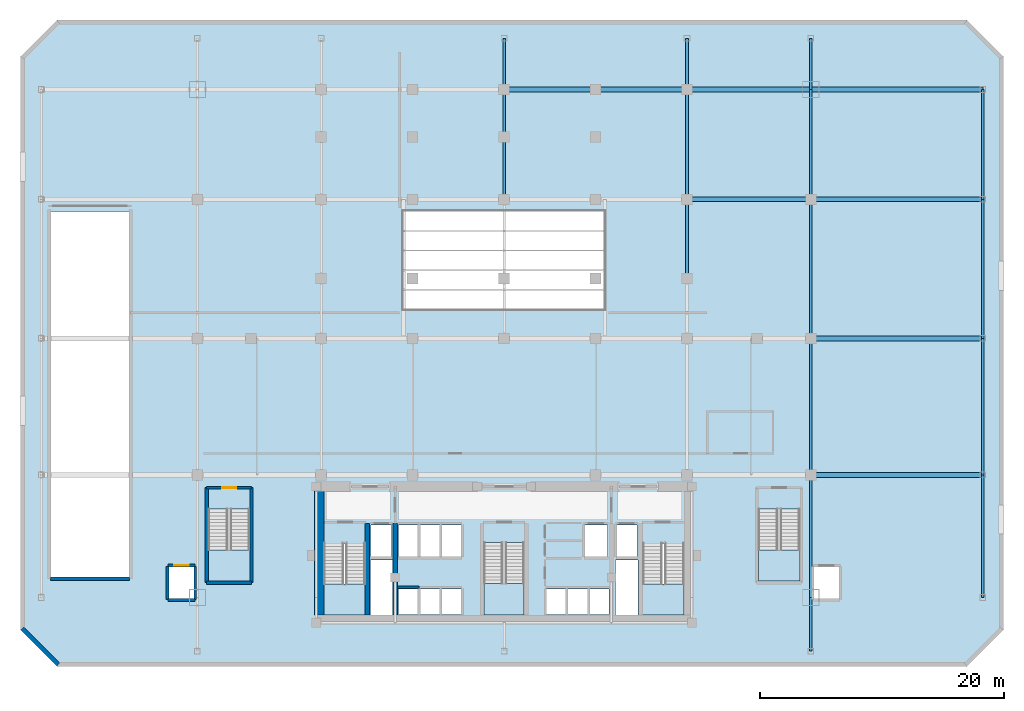
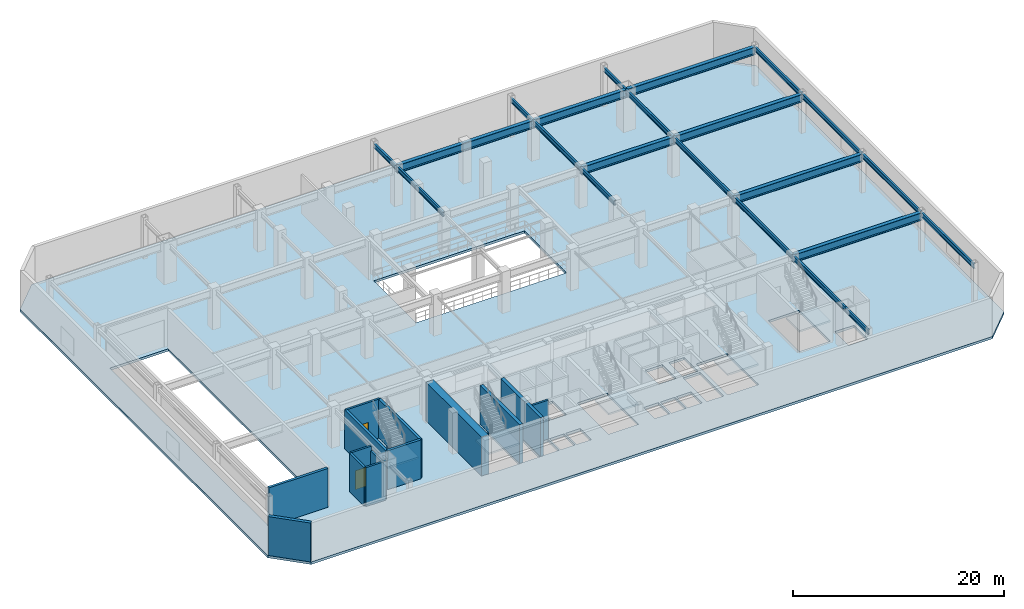
# One storey, part 4 of 10: 22 beams, 14 walls, 6 slabs, 2 doors, 2 openings, 5 elements without a shape of their own.
"""IFC4 building model written with IfcOpenShell, lengths in metres."""

from ifc_helpers import new_model, si_unit, direction, frame, frame_2d, origin, origin_2d, place, context, subcontext, project, spatial, polyline, rectangle, i_section, outline, extrude, material, layer, layer_set, material_profile, profile_set, type_object, element, fill, aggregate, save


model = new_model("IFC4")

# Units and contexts
model_context = context("Model", 3, precision=1e-05, world=origin(), true_north=direction((0.0, 1.0)))
body_context = subcontext(model_context, "Body", "Model", "MODEL_VIEW")
ifc_project = project(units=[si_unit("LENGTHUNIT", "METRE"), si_unit("AREAUNIT", "SQUARE_METRE"), si_unit("VOLUMEUNIT", "CUBIC_METRE"), si_unit("PLANEANGLEUNIT", "RADIAN"), si_unit("MASSUNIT", "GRAM", prefix="KILO")], contexts=[model_context])

# Site, building, storey
site_placement = place(None, origin())
site = spatial("IfcSite", under=ifc_project, at=site_placement, CompositionType="ELEMENT")
building_placement = place(site_placement, origin())
building = spatial("IfcBuilding", under=site, at=building_placement, Name="Ventersveld Concourse Tower", CompositionType="ELEMENT")
storey_placement = place(building_placement, frame((0.0, 0.0, 15.0)))
storey = spatial("IfcBuildingStorey", under=building, at=storey_placement, Name="L03", CompositionType="ELEMENT", Elevation=15.0)

# Beams
ifc_material_1 = material(Name="Structural steel S355J2", Category="steel")
ifc_material_profile_1 = material_profile(ifc_material_1, i_section(OverallWidth=0.39990234375, OverallDepth=0.89990234375, WebThickness=0.02197265625, FlangeThickness=0.035888671875, at=origin_2d()), Name="PG 900x400x36")
ifc_profile_set_1 = profile_set([ifc_material_profile_1], Name="Structural steel S355J2")
beam_type_1 = type_object("IfcBeamType", Name="GRD-PG900", PredefinedType="USERDEFINED", material=ifc_profile_set_1)
for number, where, z_axis, x_axis, name in (
    (1, (53.89990234375, 12.39990234375, 4.050048828125), (1.0, 0.0, 0.0), (0.0, 1.0, 0.0), "L03 Podium Primary Girder Y=12.4m"),
    (2, (53.89990234375, 23.60009765625, 4.050048828125), (1.0, 0.0, 0.0), (0.0, 1.0, 0.0), "L03 Podium Primary Girder Y=23.6m"),
):
    element("IfcBeam", number, at=place(storey_placement, frame(where, z_axis=z_axis, x_axis=x_axis)), inside=storey, type_object=beam_type_1, Name=name, ObjectType="GIRDER", PredefinedType="USERDEFINED", context=body_context, shape_type="SweptSolid", body=[
        extrude(i_section(OverallWidth=0.39990234375, OverallDepth=0.89990234375, WebThickness=0.02197265625, FlangeThickness=0.035888671875, at=origin_2d()), origin(), (0.0, 0.0, 1.0), 14.10009765625),
    ])
beam_1_placement = place(storey_placement, frame((43.75, 35.0, 4.050048828125), z_axis=(1.0, 0.0, 0.0), x_axis=(0.0, 1.0, 0.0)))
element("IfcBeam", 3, at=beam_1_placement, inside=storey, type_object=beam_type_1, Name="L03 Podium Primary Girder Y=35.0m", ObjectType="GIRDER", PredefinedType="USERDEFINED", context=body_context, shape_type="SweptSolid", body=[
    extrude(i_section(OverallWidth=0.39990234375, OverallDepth=0.89990234375, WebThickness=0.02197265625, FlangeThickness=0.035888671875, at=origin_2d()), origin(), (0.0, 0.0, 1.0), 10.14990234375),
])
beam_2_placement = place(storey_placement, frame((53.89990234375, 35.0, 4.050048828125), z_axis=(1.0, 0.0, 0.0), x_axis=(0.0, 1.0, 0.0)))
element("IfcBeam", 4, at=beam_2_placement, inside=storey, type_object=beam_type_1, Name="L03 Podium Primary Girder Y=35.0m", ObjectType="GIRDER", PredefinedType="USERDEFINED", context=body_context, shape_type="SweptSolid", body=[
    extrude(i_section(OverallWidth=0.39990234375, OverallDepth=0.89990234375, WebThickness=0.02197265625, FlangeThickness=0.035888671875, at=origin_2d()), origin(), (0.0, 0.0, 1.0), 14.10009765625),
])
beam_3_placement = place(storey_placement, frame((28.75, 44.0, 4.050048828125), z_axis=(1.0, 0.0, 0.0), x_axis=(0.0, 1.0, 0.0)))
element("IfcBeam", 5, at=beam_3_placement, inside=storey, type_object=beam_type_1, Name="L03 Podium Primary Girder Y=44.0m", ObjectType="GIRDER", PredefinedType="USERDEFINED", context=body_context, shape_type="SweptSolid", body=[
    extrude(i_section(OverallWidth=0.39990234375, OverallDepth=0.89990234375, WebThickness=0.02197265625, FlangeThickness=0.035888671875, at=origin_2d()), origin(), (0.0, 0.0, 1.0), 15.0),
])
beam_4_placement = place(storey_placement, frame((43.75, 44.0, 4.050048828125), z_axis=(1.0, 0.0, 0.0), x_axis=(0.0, 1.0, 0.0)))
element("IfcBeam", 6, at=beam_4_placement, inside=storey, type_object=beam_type_1, Name="L03 Podium Primary Girder Y=44.0m", ObjectType="GIRDER", PredefinedType="USERDEFINED", context=body_context, shape_type="SweptSolid", body=[
    extrude(i_section(OverallWidth=0.39990234375, OverallDepth=0.89990234375, WebThickness=0.02197265625, FlangeThickness=0.035888671875, at=origin_2d()), origin(), (0.0, 0.0, 1.0), 10.14990234375),
])
beam_5_placement = place(storey_placement, frame((53.89990234375, 44.0, 4.050048828125), z_axis=(1.0, 0.0, 0.0), x_axis=(0.0, 1.0, 0.0)))
element("IfcBeam", 7, at=beam_5_placement, inside=storey, type_object=beam_type_1, Name="L03 Podium Primary Girder Y=44.0m", ObjectType="GIRDER", PredefinedType="USERDEFINED", context=body_context, shape_type="SweptSolid", body=[
    extrude(i_section(OverallWidth=0.39990234375, OverallDepth=0.89990234375, WebThickness=0.02197265625, FlangeThickness=0.035888671875, at=origin_2d()), origin(), (0.0, 0.0, 1.0), 14.10009765625),
])
ifc_material_profile_2 = material_profile(ifc_material_1, i_section(OverallWidth=0.209228515625, OverallDepth=0.533203125, WebThickness=0.010009765625, FlangeThickness=0.015625, FilletRadius=0.0126953125, at=origin_2d()), Name="UB 533x210x92")
ifc_profile_set_2 = profile_set([ifc_material_profile_2], Name="Structural steel S355J2")
beam_type_2 = type_object("IfcBeamType", Name="GRD-UB533", PredefinedType="T_BEAM", material=ifc_profile_set_2)
beam_6_placement = place(storey_placement, frame((28.75, 35.0, 4.2333984375), z_axis=(0.0, 1.0, 0.0), x_axis=(-1.0, 0.0, 0.0)))
element("IfcBeam", 8, at=beam_6_placement, inside=storey, type_object=beam_type_2, Name="L03 Podium N-S Girder X=28.75m", PredefinedType="T_BEAM", context=body_context, shape_type="SweptSolid", body=[
    extrude(i_section(OverallWidth=0.209228515625, OverallDepth=0.533203125, WebThickness=0.010009765625, FlangeThickness=0.015625, FilletRadius=0.0126953125, at=origin_2d()), origin(), (0.0, 0.0, 1.0), 9.0),
])
beam_7_placement = place(storey_placement, frame((28.75, 44.0, 4.2333984375), z_axis=(0.0, 1.0, 0.0), x_axis=(-1.0, 0.0, 0.0)))
element("IfcBeam", 9, at=beam_7_placement, inside=storey, type_object=beam_type_2, Name="L03 Podium N-S Girder X=28.75m", PredefinedType="T_BEAM", context=body_context, shape_type="SweptSolid", body=[
    extrude(i_section(OverallWidth=0.209228515625, OverallDepth=0.533203125, WebThickness=0.010009765625, FlangeThickness=0.015625, FilletRadius=0.0126953125, at=origin_2d()), origin(), (0.0, 0.0, 1.0), 4.199951171875),
])
beam_8_placement = place(storey_placement, frame((43.75, 28.5, 4.2333984375), z_axis=(0.0, 1.0, 0.0), x_axis=(-1.0, 0.0, 0.0)))
element("IfcBeam", 10, at=beam_8_placement, inside=storey, type_object=beam_type_2, Name="L03 Podium N-S Girder X=43.75m", PredefinedType="T_BEAM", context=body_context, shape_type="SweptSolid", body=[
    extrude(i_section(OverallWidth=0.209228515625, OverallDepth=0.533203125, WebThickness=0.010009765625, FlangeThickness=0.015625, FilletRadius=0.0126953125, at=origin_2d()), origin(), (0.0, 0.0, 1.0), 6.5),
])
beam_9_placement = place(storey_placement, frame((43.75, 35.0, 4.2333984375), z_axis=(0.0, 1.0, 0.0), x_axis=(-1.0, 0.0, 0.0)))
element("IfcBeam", 11, at=beam_9_placement, inside=storey, type_object=beam_type_2, Name="L03 Podium N-S Girder X=43.75m", PredefinedType="T_BEAM", context=body_context, shape_type="SweptSolid", body=[
    extrude(i_section(OverallWidth=0.209228515625, OverallDepth=0.533203125, WebThickness=0.010009765625, FlangeThickness=0.015625, FilletRadius=0.0126953125, at=origin_2d()), origin(), (0.0, 0.0, 1.0), 9.0),
])
beam_10_placement = place(storey_placement, frame((43.75, 44.0, 4.2333984375), z_axis=(0.0, 1.0, 0.0), x_axis=(-1.0, 0.0, 0.0)))
element("IfcBeam", 12, at=beam_10_placement, inside=storey, type_object=beam_type_2, Name="L03 Podium N-S Girder X=43.75m", PredefinedType="T_BEAM", context=body_context, shape_type="SweptSolid", body=[
    extrude(i_section(OverallWidth=0.209228515625, OverallDepth=0.533203125, WebThickness=0.010009765625, FlangeThickness=0.015625, FilletRadius=0.0126953125, at=origin_2d()), origin(), (0.0, 0.0, 1.0), 4.199951171875),
])
beam_11_placement = place(storey_placement, frame((53.89990234375, -2.050048828125, 4.2333984375), z_axis=(0.0, 1.0, 0.0), x_axis=(-1.0, 0.0, 0.0)))
element("IfcBeam", 13, at=beam_11_placement, inside=storey, type_object=beam_type_2, Name="L03 Podium N-S Girder X=53.90m", PredefinedType="T_BEAM", context=body_context, shape_type="SweptSolid", body=[
    extrude(i_section(OverallWidth=0.209228515625, OverallDepth=0.533203125, WebThickness=0.010009765625, FlangeThickness=0.015625, FilletRadius=0.0126953125, at=origin_2d()), origin(), (0.0, 0.0, 1.0), 4.400146484375),
])
beam_12_placement = place(storey_placement, frame((53.89990234375, 2.35009765625, 4.2333984375), z_axis=(0.0, 1.0, 0.0), x_axis=(-1.0, 0.0, 0.0)))
element("IfcBeam", 14, at=beam_12_placement, inside=storey, type_object=beam_type_2, Name="L03 Podium N-S Girder X=53.90m", PredefinedType="T_BEAM", context=body_context, shape_type="SweptSolid", body=[
    extrude(i_section(OverallWidth=0.209228515625, OverallDepth=0.533203125, WebThickness=0.010009765625, FlangeThickness=0.015625, FilletRadius=0.0126953125, at=origin_2d()), origin(), (0.0, 0.0, 1.0), 10.0498046875),
])
beam_13_placement = place(storey_placement, frame((53.89990234375, 12.39990234375, 4.2333984375), z_axis=(0.0, 1.0, 0.0), x_axis=(-1.0, 0.0, 0.0)))
element("IfcBeam", 15, at=beam_13_placement, inside=storey, type_object=beam_type_2, Name="L03 Podium N-S Girder X=53.90m", PredefinedType="T_BEAM", context=body_context, shape_type="SweptSolid", body=[
    extrude(i_section(OverallWidth=0.209228515625, OverallDepth=0.533203125, WebThickness=0.010009765625, FlangeThickness=0.015625, FilletRadius=0.0126953125, at=origin_2d()), origin(), (0.0, 0.0, 1.0), 11.2001953125),
])
beam_14_placement = place(storey_placement, frame((53.89990234375, 23.60009765625, 4.2333984375), z_axis=(0.0, 1.0, 0.0), x_axis=(-1.0, 0.0, 0.0)))
element("IfcBeam", 16, at=beam_14_placement, inside=storey, type_object=beam_type_2, Name="L03 Podium N-S Girder X=53.90m", PredefinedType="T_BEAM", context=body_context, shape_type="SweptSolid", body=[
    extrude(i_section(OverallWidth=0.209228515625, OverallDepth=0.533203125, WebThickness=0.010009765625, FlangeThickness=0.015625, FilletRadius=0.0126953125, at=origin_2d()), origin(), (0.0, 0.0, 1.0), 11.39990234375),
])
beam_15_placement = place(storey_placement, frame((53.89990234375, 35.0, 4.2333984375), z_axis=(0.0, 1.0, 0.0), x_axis=(-1.0, 0.0, 0.0)))
element("IfcBeam", 17, at=beam_15_placement, inside=storey, type_object=beam_type_2, Name="L03 Podium N-S Girder X=53.90m", PredefinedType="T_BEAM", context=body_context, shape_type="SweptSolid", body=[
    extrude(i_section(OverallWidth=0.209228515625, OverallDepth=0.533203125, WebThickness=0.010009765625, FlangeThickness=0.015625, FilletRadius=0.0126953125, at=origin_2d()), origin(), (0.0, 0.0, 1.0), 9.0),
])
beam_16_placement = place(storey_placement, frame((53.89990234375, 44.0, 4.2333984375), z_axis=(0.0, 1.0, 0.0), x_axis=(-1.0, 0.0, 0.0)))
element("IfcBeam", 18, at=beam_16_placement, inside=storey, type_object=beam_type_2, Name="L03 Podium N-S Girder X=53.90m", PredefinedType="T_BEAM", context=body_context, shape_type="SweptSolid", body=[
    extrude(i_section(OverallWidth=0.209228515625, OverallDepth=0.533203125, WebThickness=0.010009765625, FlangeThickness=0.015625, FilletRadius=0.0126953125, at=origin_2d()), origin(), (0.0, 0.0, 1.0), 4.199951171875),
])
beam_17_placement = place(storey_placement, frame((68.0, 2.35009765625, 4.2333984375), z_axis=(0.0, 1.0, 0.0), x_axis=(-1.0, 0.0, 0.0)))
element("IfcBeam", 19, at=beam_17_placement, inside=storey, type_object=beam_type_2, Name="L03 Podium N-S Girder X=68.00m", PredefinedType="T_BEAM", context=body_context, shape_type="SweptSolid", body=[
    extrude(i_section(OverallWidth=0.209228515625, OverallDepth=0.533203125, WebThickness=0.010009765625, FlangeThickness=0.015625, FilletRadius=0.0126953125, at=origin_2d()), origin(), (0.0, 0.0, 1.0), 10.0498046875),
])
beam_18_placement = place(storey_placement, frame((68.0, 12.39990234375, 4.2333984375), z_axis=(0.0, 1.0, 0.0), x_axis=(-1.0, 0.0, 0.0)))
element("IfcBeam", 20, at=beam_18_placement, inside=storey, type_object=beam_type_2, Name="L03 Podium N-S Girder X=68.00m", PredefinedType="T_BEAM", context=body_context, shape_type="SweptSolid", body=[
    extrude(i_section(OverallWidth=0.209228515625, OverallDepth=0.533203125, WebThickness=0.010009765625, FlangeThickness=0.015625, FilletRadius=0.0126953125, at=origin_2d()), origin(), (0.0, 0.0, 1.0), 11.2001953125),
])
beam_19_placement = place(storey_placement, frame((68.0, 23.60009765625, 4.2333984375), z_axis=(0.0, 1.0, 0.0), x_axis=(-1.0, 0.0, 0.0)))
element("IfcBeam", 21, at=beam_19_placement, inside=storey, type_object=beam_type_2, Name="L03 Podium N-S Girder X=68.00m", PredefinedType="T_BEAM", context=body_context, shape_type="SweptSolid", body=[
    extrude(i_section(OverallWidth=0.209228515625, OverallDepth=0.533203125, WebThickness=0.010009765625, FlangeThickness=0.015625, FilletRadius=0.0126953125, at=origin_2d()), origin(), (0.0, 0.0, 1.0), 11.39990234375),
])
beam_20_placement = place(storey_placement, frame((68.0, 35.0, 4.2333984375), z_axis=(0.0, 1.0, 0.0), x_axis=(-1.0, 0.0, 0.0)))
element("IfcBeam", 22, at=beam_20_placement, inside=storey, type_object=beam_type_2, Name="L03 Podium N-S Girder X=68.00m", PredefinedType="T_BEAM", context=body_context, shape_type="SweptSolid", body=[
    extrude(i_section(OverallWidth=0.209228515625, OverallDepth=0.533203125, WebThickness=0.010009765625, FlangeThickness=0.015625, FilletRadius=0.0126953125, at=origin_2d()), origin(), (0.0, 0.0, 1.0), 9.0),
])

# Slab
ifc_material_2 = material(Name="Concrete C50/60", Category="concrete")
ifc_layer_1 = layer(ifc_material_2, 0.280029296875)
ifc_layer_set_1 = layer_set([ifc_layer_1], Name="Concrete C50/60")
slab_type_1 = type_object("IfcSlabType", Name="SL-FLR-280", PredefinedType="FLOOR", material=ifc_layer_set_1)
slab_1_placement = place(storey_placement, frame((0.0, 0.0, -0.280029296875)))
element("IfcSlab", 23, at=slab_1_placement, inside=storey, type_object=slab_type_1, Name="L03 Composite Floor Slab", PredefinedType="FLOOR", context=body_context, shape_type="SweptSolid", body=[
    extrude(outline(polyline([(-7.89990234375, -3.300048828125), (66.699951171875, -3.300048828125), (69.699951171875, -0.300048828125), (69.699951171875, 46.699951171875), (66.699951171875, 49.699951171875), (-7.89990234375, 49.699951171875), (-10.89990234375, 46.699951171875), (-10.89990234375, -0.300048828125), (-7.89990234375, -3.300048828125)]), holes=[polyline([(13.97998046875, 6.794921875), (13.97998046875, 0.89990234375), (17.3798828125, 0.89990234375), (17.3798828125, 6.794921875), (13.97998046875, 6.794921875)]), polyline([(40.1201171875, 6.794921875), (40.1201171875, 0.89990234375), (43.52001953125, 0.89990234375), (43.52001953125, 6.794921875), (40.1201171875, 6.794921875)]), polyline([(27.10009765625, 6.844970703125), (27.10009765625, 0.89990234375), (30.39990234375, 0.89990234375), (30.39990234375, 6.844970703125), (27.10009765625, 6.844970703125)]), polyline([(4.5, 9.594970703125), (4.5, 3.699951171875), (7.89990234375, 3.699951171875), (7.89990234375, 9.594970703125), (4.5, 9.594970703125)]), polyline([(49.60009765625, 9.594970703125), (49.60009765625, 3.699951171875), (53.0, 3.699951171875), (53.0, 9.594970703125), (49.60009765625, 9.594970703125)]), polyline([(17.85009765625, 5.699951171875), (19.530029296875, 5.699951171875), (19.530029296875, 8.300048828125), (17.85009765625, 8.300048828125), (17.85009765625, 5.699951171875)]), polyline([(37.969970703125, 5.699951171875), (39.64990234375, 5.699951171875), (39.64990234375, 8.300048828125), (37.969970703125, 8.300048828125), (37.969970703125, 5.699951171875)]), polyline([(35.35009765625, 5.699951171875), (37.25, 5.699951171875), (37.25, 8.300048828125), (35.35009765625, 8.300048828125), (35.35009765625, 5.699951171875)]), polyline([(20.090087890625, 0.949951171875), (21.68994140625, 0.949951171875), (21.68994140625, 3.050048828125), (20.090087890625, 3.050048828125), (20.090087890625, 0.949951171875)]), polyline([(21.8701171875, 0.949951171875), (23.469970703125, 0.949951171875), (23.469970703125, 3.050048828125), (21.8701171875, 3.050048828125), (21.8701171875, 0.949951171875)]), polyline([(23.64990234375, 0.949951171875), (25.25, 0.949951171875), (25.25, 3.050048828125), (23.64990234375, 3.050048828125), (23.64990234375, 0.949951171875)]), polyline([(32.2099609375, 0.949951171875), (33.81005859375, 0.949951171875), (33.81005859375, 3.050048828125), (32.2099609375, 3.050048828125), (32.2099609375, 0.949951171875)]), polyline([(33.989990234375, 0.949951171875), (35.590087890625, 0.949951171875), (35.590087890625, 3.050048828125), (33.989990234375, 3.050048828125), (33.989990234375, 0.949951171875)]), polyline([(35.77001953125, 0.949951171875), (37.3701171875, 0.949951171875), (37.3701171875, 3.050048828125), (35.77001953125, 3.050048828125), (35.77001953125, 0.949951171875)]), polyline([(20.090087890625, 5.699951171875), (21.68994140625, 5.699951171875), (21.68994140625, 8.300048828125), (20.090087890625, 8.300048828125), (20.090087890625, 5.699951171875)]), polyline([(21.8701171875, 5.699951171875), (23.469970703125, 5.699951171875), (23.469970703125, 8.300048828125), (21.8701171875, 8.300048828125), (21.8701171875, 5.699951171875)]), polyline([(23.64990234375, 5.699951171875), (25.25, 5.699951171875), (25.25, 8.300048828125), (23.64990234375, 8.300048828125), (23.64990234375, 5.699951171875)]), polyline([(1.25, 2.25), (3.35009765625, 2.25), (3.35009765625, 4.85009765625), (1.25, 4.85009765625), (1.25, 2.25)]), polyline([(54.14990234375, 2.25), (56.25, 2.25), (56.25, 4.85009765625), (54.14990234375, 4.85009765625), (54.14990234375, 2.25)]), polyline([(17.780029296875, 0.919921875), (19.6201171875, 0.919921875), (19.6201171875, 5.419921875), (17.780029296875, 5.419921875), (17.780029296875, 0.919921875)]), polyline([(37.8798828125, 0.919921875), (39.719970703125, 0.919921875), (39.719970703125, 5.419921875), (37.8798828125, 5.419921875), (37.8798828125, 0.919921875)]), polyline([(20.5, 26.0), (37.0, 26.0), (37.0, 34.0), (20.5, 34.0), (20.5, 26.0)]), polyline([(-8.39990234375, 4.0), (-2.0, 4.0), (-2.0, 34.0), (-8.39990234375, 34.0), (-8.39990234375, 4.0)])]), origin(), (0.0, 0.0, 1.0), 0.280029296875),
])

# Stair, slab
stair_type_1 = type_object("IfcStairType", Name="ST-DOG-160", PredefinedType="HALF_TURN_STAIR", material=ifc_material_2)
stair_1_placement = place(storey_placement, origin())
stair_1 = element("IfcStair", 24, at=stair_1_placement, inside=storey, type_object=stair_type_1, Name="L03 Protected Tower Escape Stair ST-01", PredefinedType="HALF_TURN_STAIR")
ifc_layer_2 = layer(ifc_material_2, 0.199951171875)
ifc_layer_set_2 = layer_set([ifc_layer_2], Name="Concrete C50/60")
slab_type_2 = type_object("IfcSlabType", Name="SL-LND-200", PredefinedType="LANDING", material=ifc_layer_set_2)
slab_2_placement = place(storey_placement, frame((0.0, 0.0, 2.199951171875)))
slab_2 = element("IfcSlab", 25, at=slab_2_placement, type_object=slab_type_2, Name="ST-01 landing 1", PredefinedType="LANDING", context=body_context, shape_type="SweptSolid", body=[
    extrude(outline(polyline([(13.97998046875, 3.43994140625), (13.97998046875, 0.89990234375), (17.3798828125, 0.89990234375), (17.3798828125, 3.43994140625), (13.97998046875, 3.43994140625)])), origin(), (0.0, 0.0, 1.0), 0.199951171875),
])
aggregate(stair_1, [slab_2])

stair_2_placement = place(storey_placement, origin())
stair_2 = element("IfcStair", 26, at=stair_2_placement, inside=storey, type_object=stair_type_1, Name="L03 Protected Tower Escape Stair ST-02", PredefinedType="HALF_TURN_STAIR")
slab_3_placement = place(storey_placement, frame((0.0, 0.0, 2.199951171875)))
slab_3 = element("IfcSlab", 27, at=slab_3_placement, type_object=slab_type_2, Name="ST-02 landing 1", PredefinedType="LANDING", context=body_context, shape_type="SweptSolid", body=[
    extrude(outline(polyline([(40.1201171875, 3.43994140625), (40.1201171875, 0.89990234375), (43.52001953125, 0.89990234375), (43.52001953125, 3.43994140625), (40.1201171875, 3.43994140625)])), origin(), (0.0, 0.0, 1.0), 0.199951171875),
])
aggregate(stair_2, [slab_3])

stair_type_2 = type_object("IfcStairType", Name="ST-DOG-155", PredefinedType="HALF_TURN_STAIR", material=ifc_material_2)
stair_3_placement = place(storey_placement, origin())
stair_3 = element("IfcStair", 28, at=stair_3_placement, inside=storey, type_object=stair_type_2, Name="L03 Protected Central Core Escape Stair ST-03", PredefinedType="HALF_TURN_STAIR")
slab_4_placement = place(storey_placement, frame((0.0, 0.0, 2.199951171875)))
slab_4 = element("IfcSlab", 29, at=slab_4_placement, type_object=slab_type_2, Name="ST-03 landing 1", PredefinedType="LANDING", context=body_context, shape_type="SweptSolid", body=[
    extrude(outline(polyline([(27.10009765625, 3.489990234375), (27.10009765625, 0.89990234375), (30.39990234375, 0.89990234375), (30.39990234375, 3.489990234375), (27.10009765625, 3.489990234375)])), origin(), (0.0, 0.0, 1.0), 0.199951171875),
])
aggregate(stair_3, [slab_4])

stair_4_placement = place(storey_placement, origin())
stair_4 = element("IfcStair", 30, at=stair_4_placement, inside=storey, type_object=stair_type_1, Name="L03 Station Concourse West Escape Stair ST-04", PredefinedType="HALF_TURN_STAIR")
slab_5_placement = place(storey_placement, frame((0.0, 0.0, 2.199951171875)))
slab_5 = element("IfcSlab", 31, at=slab_5_placement, type_object=slab_type_2, Name="ST-04 landing 1", PredefinedType="LANDING", context=body_context, shape_type="SweptSolid", body=[
    extrude(outline(polyline([(4.5, 6.239990234375), (4.5, 3.699951171875), (7.89990234375, 3.699951171875), (7.89990234375, 6.239990234375), (4.5, 6.239990234375)])), origin(), (0.0, 0.0, 1.0), 0.199951171875),
])
aggregate(stair_4, [slab_5])

stair_5_placement = place(storey_placement, origin())
stair_5 = element("IfcStair", 32, at=stair_5_placement, inside=storey, type_object=stair_type_1, Name="L03 Station Concourse East Escape Stair ST-05", PredefinedType="HALF_TURN_STAIR")
slab_6_placement = place(storey_placement, frame((0.0, 0.0, 2.199951171875)))
slab_6 = element("IfcSlab", 33, at=slab_6_placement, type_object=slab_type_2, Name="ST-05 landing 1", PredefinedType="LANDING", context=body_context, shape_type="SweptSolid", body=[
    extrude(outline(polyline([(49.60009765625, 6.239990234375), (49.60009765625, 3.699951171875), (53.0, 3.699951171875), (53.0, 6.239990234375), (49.60009765625, 6.239990234375)])), origin(), (0.0, 0.0, 1.0), 0.199951171875),
])
aggregate(stair_5, [slab_6])

# Walls
ifc_material_3 = material(Name="Concrete C60/75", Category="concrete")
ifc_layer_3 = layer(ifc_material_3, 0.35009765625)
ifc_layer_set_3 = layer_set([ifc_layer_3], Name="Concrete C60/75")
wall_type_1 = type_object("IfcWallType", Name="WL-CORE-350L", PredefinedType="SHEAR", material=ifc_layer_set_3)
for number, where, z_axis, x_axis, name in (
    (34, (17.5400390625, 0.919921875, 0.0), (0.0, 0.0, 1.0), (0.0, 1.0, 0.0), "L03 Core Internal Shear Web W-ST1-E"),
    (35, (19.820068359375, 0.919921875, 0.0), (0.0, 0.0, 1.0), (0.0, 1.0, 0.0), "L03 Core Internal Shear Web W-FF1-E"),
):
    element("IfcWall", number, at=place(storey_placement, frame(where, z_axis=z_axis, x_axis=x_axis)), inside=storey, type_object=wall_type_1, Name=name, PredefinedType="SHEAR", context=body_context, shape_type="SweptSolid", body=[
        extrude(rectangle(XDim=7.5, YDim=0.35009765625, at=frame_2d((3.75, 0.0))), origin(), (0.0, 0.0, 1.0), 4.5),
    ])
ifc_layer_4 = layer(ifc_material_3, 0.800048828125)
ifc_layer_set_4 = layer_set([ifc_layer_4], Name="Concrete C60/75")
wall_type_2 = type_object("IfcWallType", Name="WL-CORE-800", PredefinedType="SHEAR", material=ifc_layer_set_4)
wall_1_placement = place(storey_placement, frame((13.60009765625, 0.919921875, 0.0), z_axis=(0.0, 0.0, 1.0), x_axis=(0.0, 1.0, 0.0)))
element("IfcWall", 36, at=wall_1_placement, inside=storey, type_object=wall_type_2, Name="L03 Rear Core West Shear Wall", PredefinedType="SHEAR", context=body_context, shape_type="SweptSolid", body=[
    extrude(rectangle(XDim=10.530029296875, YDim=0.800048828125, at=frame_2d((5.26513671875, 0.0))), origin(), (0.0, 0.0, 1.0), 4.5),
])
ifc_material_4 = material(Name="Fire-rated autoclaved aerated masonry blockwork", Category="masonry")
ifc_layer_5 = layer(ifc_material_4, 0.219970703125)
ifc_layer_set_5 = layer_set([ifc_layer_5], Name="Fire-rated autoclaved aerated masonry blockwork")
wall_type_3 = type_object("IfcWallType", Name="WL-HOIST-220", PredefinedType="SOLIDWALL", material=ifc_layer_set_5)
wall_2_placement = place(storey_placement, frame((20.02001953125, 3.179931640625, 0.0), z_axis=(0.0, 0.0, 1.0), x_axis=(1.0, 0.0, 0.0)))
element("IfcWall", 37, at=wall_2_placement, inside=storey, type_object=wall_type_3, Name="L03 Lift Hoistway Front Wall PL-01", PredefinedType="SOLIDWALL", context=body_context, shape_type="SweptSolid", body=[
    extrude(rectangle(XDim=1.739990234375, YDim=0.219970703125, at=frame_2d((0.8701171875, 0.0))), origin(), (0.0, 0.0, 1.0), 4.5),
])
wall_3_placement = place(storey_placement, frame((1.199951171875, 2.139892578125, 0.0), z_axis=(0.0, 0.0, 1.0), x_axis=(1.0, 0.0, 0.0)))
element("IfcWall", 38, at=wall_3_placement, inside=storey, type_object=wall_type_3, Name="L03 Lift Hoistway Back Wall SL-01", PredefinedType="SOLIDWALL", context=body_context, shape_type="SweptSolid", body=[
    extrude(rectangle(XDim=2.199951171875, YDim=0.219970703125, at=frame_2d((1.10009765625, 0.0))), origin(), (0.0, 0.0, 1.0), 4.5),
])
wall_4_placement = place(storey_placement, frame((1.159912109375, 2.199951171875, 0.0), z_axis=(0.0, 0.0, 1.0), x_axis=(0.0, 1.0, 0.0)))
element("IfcWall", 39, at=wall_4_placement, inside=storey, type_object=wall_type_3, Name="L03 Lift Hoistway Side Wall SL-01W", PredefinedType="SOLIDWALL", context=body_context, shape_type="SweptSolid", body=[
    extrude(rectangle(XDim=2.699951171875, YDim=0.219970703125, at=frame_2d((1.35009765625, 0.0))), origin(), (0.0, 0.0, 1.0), 4.5),
])
wall_5_placement = place(storey_placement, frame((3.43994140625, 2.199951171875, 0.0), z_axis=(0.0, 0.0, 1.0), x_axis=(0.0, 1.0, 0.0)))
element("IfcWall", 40, at=wall_5_placement, inside=storey, type_object=wall_type_3, Name="L03 Lift Hoistway Side Wall SL-01E", PredefinedType="SOLIDWALL", context=body_context, shape_type="SweptSolid", body=[
    extrude(rectangle(XDim=2.699951171875, YDim=0.219970703125, at=frame_2d((1.35009765625, 0.0))), origin(), (0.0, 0.0, 1.0), 3.966796875),
])

# Wall, opening, door
wall_6_placement = place(storey_placement, frame((1.179931640625, 4.97998046875, 0.0), z_axis=(0.0, 0.0, 1.0), x_axis=(1.0, 0.0, 0.0)))
wall_6 = element("IfcWall", 41, at=wall_6_placement, inside=storey, type_object=wall_type_3, Name="L03 Lift Hoistway Front Wall SL-01", PredefinedType="SOLIDWALL", context=body_context, shape_type="SweptSolid", body=[
    extrude(rectangle(XDim=2.239990234375, YDim=0.219970703125, at=frame_2d((1.1201171875, 0.0))), origin(), (0.0, 0.0, 1.0), 4.5),
])
opening_1_placement = place(wall_6_placement, frame((0.530029296875, 0.0, 0.0)))
opening_1 = element("IfcOpeningElement", 42, at=opening_1_placement, cuts=wall_6, Name="Opening LD2", PredefinedType="OPENING", context=body_context, shape_type="SweptSolid", body=[
    extrude(rectangle(XDim=1.179931640625, YDim=2.199951171875, at=frame_2d((0.58984375, 1.10009765625))), frame((0.0, 0.1201171875, 0.0), z_axis=(0.0, -1.0, 0.0), x_axis=(1.0, 0.0, 0.0)), (0.0, 0.0, 1.0), 0.239990234375),
])
ifc_material_5 = material(Name="Brushed stainless steel 316", Category="steel")
door_type_1 = type_object("IfcDoorType", Name="LD-PAX-118", OperationType="SLIDING_TO_LEFT", PredefinedType="DOOR", material=ifc_material_5)
door_1_placement = place(opening_1_placement, origin())
door_1 = element("IfcDoor", 43, at=door_1_placement, inside=storey, type_object=door_type_1, Name="L03 Lift landing door SL-01 (LD-L03-SL-01)", OperationType="SLIDING_TO_RIGHT", OverallHeight=2.199951171875, OverallWidth=1.179931640625, PredefinedType="DOOR", context=body_context, shape_type="SweptSolid", body=[
    extrude(rectangle(XDim=1.179931640625, YDim=2.199951171875, at=frame_2d((0.58984375, 1.10009765625))), frame((0.0, 0.02490234375, 0.0), z_axis=(0.0, -1.0, 0.0), x_axis=(1.0, 0.0, 0.0)), (0.0, 0.0, 1.0), 0.050048828125),
])
fill(opening_1, door_1)

wall_7_placement = place(storey_placement, frame((4.360107421875, 11.35009765625, 0.0), z_axis=(0.0, 0.0, 1.0), x_axis=(1.0, 0.0, 0.0)))
wall_7 = element("IfcWall", 44, at=wall_7_placement, inside=storey, type_object=wall_type_3, Name="L03 Escape Stair ST04 Fire Wall", PredefinedType="SOLIDWALL", context=body_context, shape_type="SweptSolid", body=[
    extrude(rectangle(XDim=3.679931640625, YDim=0.219970703125, at=frame_2d((1.83984375, 0.0))), origin(), (0.0, 0.0, 1.0), 4.5),
])
opening_2_placement = place(wall_7_placement, frame((1.264892578125, 0.0, 0.0)))
opening_2 = element("IfcOpeningElement", 45, at=opening_2_placement, cuts=wall_7, Name="Opening FD1", PredefinedType="OPENING", context=body_context, shape_type="SweptSolid", body=[
    extrude(rectangle(XDim=1.14990234375, YDim=2.199951171875, at=frame_2d((0.574951171875, 1.10009765625))), frame((0.0, 0.1201171875, 0.0), z_axis=(0.0, -1.0, 0.0), x_axis=(1.0, 0.0, 0.0)), (0.0, 0.0, 1.0), 0.239990234375),
])
ifc_material_6 = material(Name="Galvanised painted steel", Category="steel")
door_type_2 = type_object("IfcDoorType", Name="DR-STAIR-115", OperationType="NOTDEFINED", PredefinedType="DOOR", material=ifc_material_6)
door_2_placement = place(opening_2_placement, origin())
door_2 = element("IfcDoor", 46, at=door_2_placement, inside=storey, type_object=door_type_2, Name="L03 Escape Stair Door ST04 (SD-L03-0122)", OperationType="SINGLE_SWING_RIGHT", OverallHeight=2.199951171875, OverallWidth=1.14990234375, PredefinedType="DOOR", context=body_context, shape_type="SweptSolid", body=[
    extrude(rectangle(XDim=1.14990234375, YDim=2.199951171875, at=frame_2d((0.574951171875, 1.10009765625))), frame((0.0, 0.02490234375, 0.0), z_axis=(0.0, -1.0, 0.0), x_axis=(1.0, 0.0, 0.0)), (0.0, 0.0, 1.0), 0.050048828125),
])
fill(opening_2, door_2)

# Walls
ifc_material_7 = material(Name="Precast concrete C45/55", Category="concrete")
ifc_layer_6 = layer(ifc_material_7, 0.35009765625)
ifc_layer_set_6 = layer_set([ifc_layer_6], Name="Precast concrete C45/55")
wall_type_4 = type_object("IfcWallType", Name="WL-PREC-350", PredefinedType="SOLIDWALL", material=ifc_layer_set_6)
wall_8_placement = place(storey_placement, frame((-10.744384765625, -0.200927734375, 0.0), z_axis=(0.0, 0.0, 1.0), x_axis=(0.707106781187, -0.707106781187, 0.0)))
element("IfcWall", 47, at=wall_8_placement, inside=storey, type_object=wall_type_4, Name="L03 Podium Precast Perimeter Wall 08", PredefinedType="SOLIDWALL", context=body_context, shape_type="SweptSolid", body=[
    extrude(rectangle(XDim=4.16259765625, YDim=0.35009765625, at=frame_2d((2.081298828125, 0.0))), origin(), (0.0, 0.0, 1.0), 4.5),
])
ifc_layer_7 = layer(ifc_material_2, 0.280029296875)
ifc_layer_set_7 = layer_set([ifc_layer_7], Name="Concrete C50/60")
wall_type_5 = type_object("IfcWallType", Name="WL-SHAFT-280", PredefinedType="SHEAR", material=ifc_layer_set_7)
wall_9_placement = place(storey_placement, frame((-8.419921875, 3.8798828125, 0.0), z_axis=(0.0, 0.0, 1.0), x_axis=(1.0, 0.0, 0.0)))
element("IfcWall", 48, at=wall_9_placement, inside=storey, type_object=wall_type_5, Name="L03 Ramp Shaft South Headwall RMPW-S", PredefinedType="SHEAR", context=body_context, shape_type="SweptSolid", body=[
    extrude(rectangle(XDim=6.43994140625, YDim=0.280029296875, at=frame_2d((3.219970703125, 0.0))), origin(), (0.0, 0.0, 1.0), 4.5),
])
wall_10_placement = place(storey_placement, frame((4.360107421875, 3.56005859375, 0.0), z_axis=(0.0, 0.0, 1.0), x_axis=(1.0, 0.0, 0.0)))
element("IfcWall", 49, at=wall_10_placement, inside=storey, type_object=wall_type_5, Name="L03 ST04 Structural Shaft Wall S", PredefinedType="SHEAR", context=body_context, shape_type="SweptSolid", body=[
    extrude(rectangle(XDim=3.679931640625, YDim=0.280029296875, at=frame_2d((1.83984375, 0.0))), origin(), (0.0, 0.0, 1.0), 4.5),
])
for number, where, z_axis, x_axis, name in (
    (50, (4.360107421875, 3.56005859375, 0.0), (0.0, 0.0, 1.0), (0.0, 1.0, 0.0), "L03 ST04 Structural Shaft Wall W"),
    (51, (8.0400390625, 3.56005859375, 0.0), (0.0, 0.0, 1.0), (0.0, 1.0, 0.0), "L03 ST04 Structural Shaft Wall E"),
):
    element("IfcWall", number, at=place(storey_placement, frame(where, z_axis=z_axis, x_axis=x_axis)), inside=storey, type_object=wall_type_5, Name=name, PredefinedType="SHEAR", context=body_context, shape_type="SweptSolid", body=[
        extrude(rectangle(XDim=7.7900390625, YDim=0.280029296875, at=frame_2d((3.89501953125, 0.0))), origin(), (0.0, 0.0, 1.0), 4.5),
    ])

save(model, "model.ifc")
